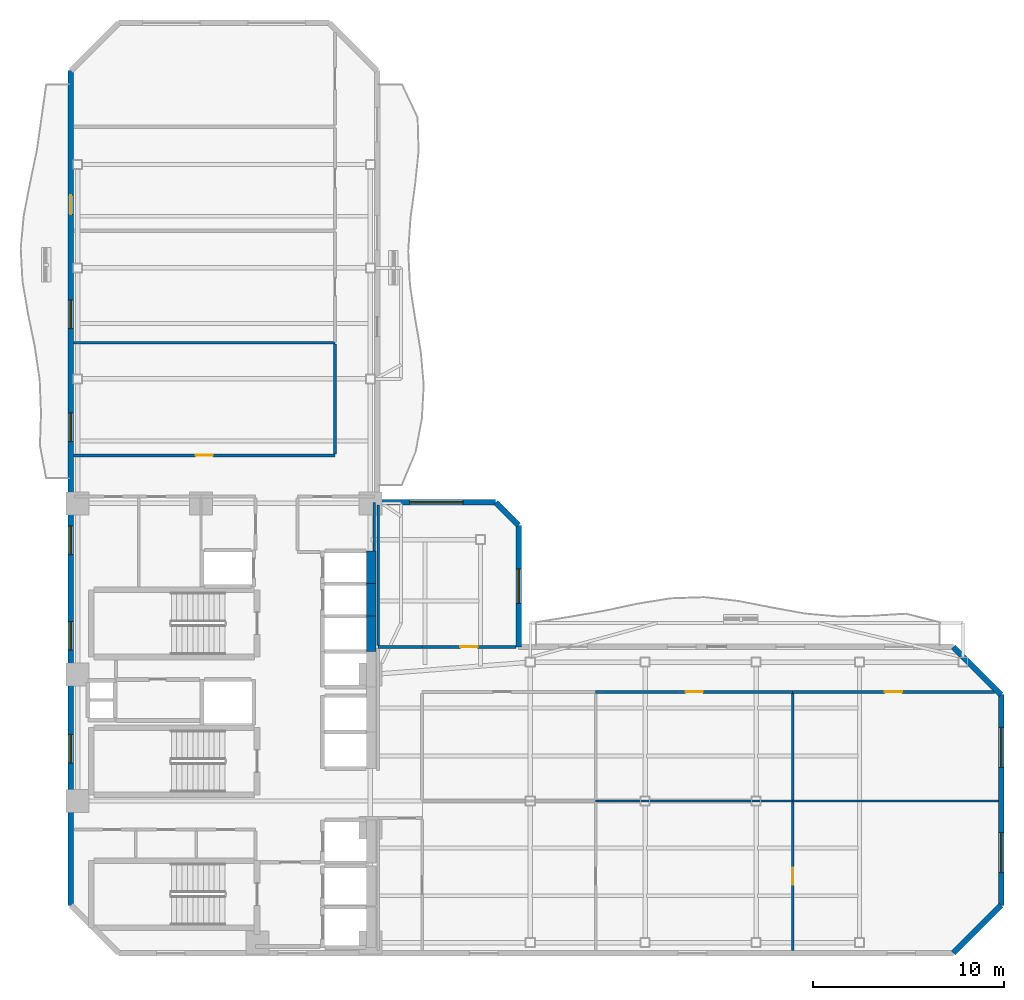
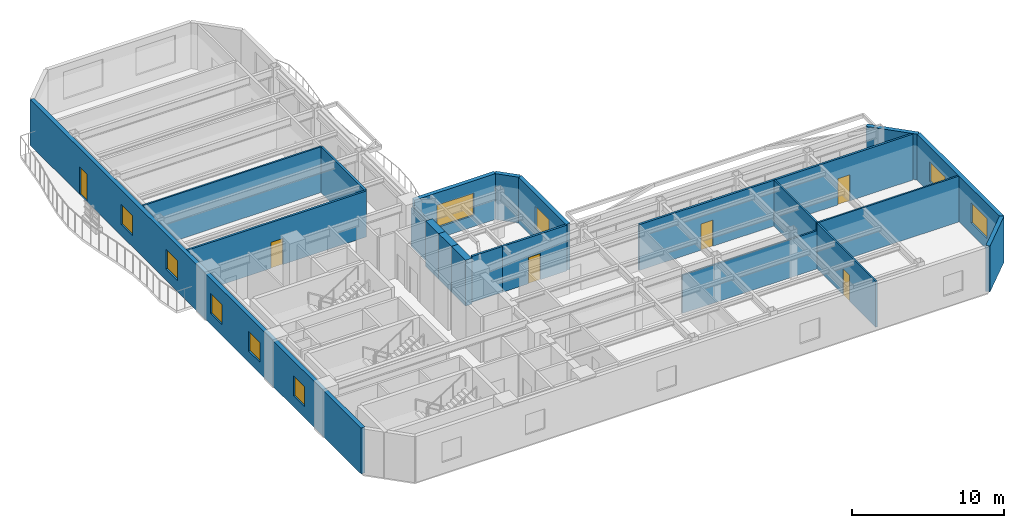
# One storey, part 5 of 9: 23 walls, 9 windows, 6 doors, 15 openings.
"""IFC4 building model written with IfcOpenShell, lengths in metres."""

from ifc_helpers import new_model, si_unit, direction, frame, frame_2d, origin, place, context, subcontext, project, spatial, rectangle, extrude, material, layer, layer_set, type_object, element, fill, save


model = new_model("IFC4")

# Units and contexts
model_context = context("Model", 3, precision=1e-05, world=origin(), true_north=direction((0.0, 1.0)))
body_context = subcontext(model_context, "Body", "Model", "MODEL_VIEW")
ifc_project = project(units=[si_unit("LENGTHUNIT", "METRE"), si_unit("AREAUNIT", "SQUARE_METRE"), si_unit("VOLUMEUNIT", "CUBIC_METRE"), si_unit("PLANEANGLEUNIT", "RADIAN"), si_unit("MASSUNIT", "GRAM", prefix="KILO")], contexts=[model_context])

# Site, building, storey
site_placement = place(None, origin())
site = spatial("IfcSite", under=ifc_project, at=site_placement, CompositionType="ELEMENT")
building_placement = place(site_placement, origin())
building = spatial("IfcBuilding", under=site, at=building_placement, Name="Mawjaban Terraces University", CompositionType="ELEMENT")
storey_placement = place(building_placement, frame((0.0, 0.0, 154.10009765625)))
storey = spatial("IfcBuildingStorey", under=building, at=storey_placement, Name="L37", CompositionType="ELEMENT", Elevation=154.10009765625)

# Walls
ifc_material_1 = material(Name="Concrete C60/75", Category="concrete")
ifc_layer_1 = layer(ifc_material_1, 0.5)
ifc_layer_set_1 = layer_set([ifc_layer_1], Name="Concrete C60/75")
wall_type_1 = type_object("IfcWallType", Name="CoreShearWall_500", PredefinedType="SHEAR", material=ifc_layer_set_1)
wall_1_placement = place(storey_placement, frame((37.699951171875, 15.75, 0.0), z_axis=(0.0, 0.0, 1.0), x_axis=(0.0, 1.0, 0.0)))
element("IfcWall", 1, at=wall_1_placement, inside=storey, type_object=wall_type_1, Name="L37 Lift OL-2 Hoistway Wall East", PredefinedType="SHEAR", context=body_context, shape_type="SweptSolid", body=[
    extrude(rectangle(XDim=1.85009765625, YDim=0.5, at=frame_2d((0.925048828125, 0.0))), origin(), (0.0, 0.0, 1.0), 3.68994140625),
])
for number, where, z_axis, x_axis, name in (
    (2, (37.699951171875, 17.60009765625, 0.0), (0.0, 0.0, 1.0), (0.0, 1.0, 0.0), "L37 Lift PL-M1 Hoistway Wall East"),
    (3, (37.699951171875, 19.300048828125, 0.0), (0.0, 0.0, 1.0), (0.0, 1.0, 0.0), "L37 Lift PL-M2 Hoistway Wall East"),
):
    element("IfcWall", number, at=place(storey_placement, frame(where, z_axis=z_axis, x_axis=x_axis)), inside=storey, type_object=wall_type_1, Name=name, PredefinedType="SHEAR", context=body_context, shape_type="SweptSolid", body=[
        extrude(rectangle(XDim=1.699951171875, YDim=0.5, at=frame_2d((0.85009765625, 0.0))), origin(), (0.0, 0.0, 1.0), 3.68994140625),
    ])

# Wall, opening, door
ifc_material_2 = material(Name="Fire-rated gypsum board on steel stud", Category="steel")
ifc_layer_2 = layer(ifc_material_2, 0.159912109375)
ifc_layer_set_2 = layer_set([ifc_layer_2], Name="Fire-rated gypsum board on steel stud")
wall_type_2 = type_object("IfcWallType", Name="CorridorPartition_160", PredefinedType="PARTITIONING", material=ifc_layer_set_2)
wall_2_placement = place(storey_placement, frame((35.800048828125, 26.0, 0.0), z_axis=(0.0, 0.0, 1.0), x_axis=(-1.0, 0.0, 0.0)))
wall_2 = element("IfcWall", 4, at=wall_2_placement, inside=storey, type_object=wall_type_2, Name="L37 North Core Cross-Corridor Partition 12", PredefinedType="PARTITIONING", context=body_context, shape_type="SweptSolid", body=[
    extrude(rectangle(XDim=13.655029296875, YDim=0.159912109375, at=frame_2d((6.82763671875, 0.0))), origin(), (0.0, 0.0, 1.0), 3.68994140625),
])
opening_1_placement = place(wall_2_placement, frame((6.376953125, 0.0, 0.0)))
opening_1 = element("IfcOpeningElement", 5, at=opening_1_placement, cuts=wall_2, Name="Opening ID-090", PredefinedType="OPENING", context=body_context, shape_type="SweptSolid", body=[
    extrude(rectangle(XDim=0.89990234375, YDim=2.10009765625, at=frame_2d((0.449951171875, 1.050048828125))), frame((0.0, 0.08984375, 0.0), z_axis=(0.0, -1.0, 0.0), x_axis=(1.0, 0.0, 0.0)), (0.0, 0.0, 1.0), 0.179931640625),
])
ifc_material_3 = material(Name="Powder-coated steel frame and solid acoustic timber leaf", Category="steel")
door_type_1 = type_object("IfcDoorType", Name="OfficeDoor_900x2100", OperationType="NOTDEFINED", PredefinedType="DOOR", material=ifc_material_3)
door_1_placement = place(opening_1_placement, origin())
door_1 = element("IfcDoor", 6, at=door_1_placement, inside=storey, type_object=door_type_1, Name="L37 Departmental Office 8 Door", OperationType="SINGLE_SWING_RIGHT", OverallHeight=2.10009765625, OverallWidth=0.89990234375, PredefinedType="DOOR", context=body_context, shape_type="SweptSolid", body=[
    extrude(rectangle(XDim=0.89990234375, YDim=2.10009765625, at=frame_2d((0.449951171875, 1.050048828125))), frame((0.0, 0.02490234375, 0.0), z_axis=(0.0, -1.0, 0.0), x_axis=(1.0, 0.0, 0.0)), (0.0, 0.0, 1.0), 0.050048828125),
])
fill(opening_1, door_1)

# Wall
wall_3_placement = place(storey_placement, frame((40.35009765625, 16.0, 0.0), z_axis=(0.0, 0.0, 1.0), x_axis=(-1.0, 0.0, 0.0)))
element("IfcWall", 7, at=wall_3_placement, inside=storey, type_object=wall_type_2, Name="L37 Inner Gallery Link Corridor Partition 19", PredefinedType="PARTITIONING", context=body_context, shape_type="SweptSolid", body=[
    extrude(rectangle(XDim=2.300048828125, YDim=0.159912109375, at=frame_2d((1.14990234375, 0.0))), origin(), (0.0, 0.0, 1.0), 3.68994140625),
])

# Wall, opening, door
wall_4_placement = place(storey_placement, frame((40.35009765625, 16.0, 0.0), z_axis=(0.0, 0.0, 1.0), x_axis=(1.0, 0.0, 0.0)))
wall_4 = element("IfcWall", 8, at=wall_4_placement, inside=storey, type_object=wall_type_2, Name="L37 Terrace Collaborative Study Room Partition 20", PredefinedType="PARTITIONING", context=body_context, shape_type="SweptSolid", body=[
    extrude(rectangle(XDim=4.89892578125, YDim=0.159912109375, at=frame_2d((2.449462890625, 0.0))), origin(), (0.0, 0.0, 1.0), 3.68994140625),
])
opening_2_placement = place(wall_4_placement, frame((2.0, 0.0, 0.0)))
opening_2 = element("IfcOpeningElement", 9, at=opening_2_placement, cuts=wall_4, Name="Opening ID-090", PredefinedType="OPENING", context=body_context, shape_type="SweptSolid", body=[
    extrude(rectangle(XDim=0.89990234375, YDim=2.10009765625, at=frame_2d((0.449951171875, 1.050048828125))), frame((0.0, 0.08984375, 0.0), z_axis=(0.0, -1.0, 0.0), x_axis=(1.0, 0.0, 0.0)), (0.0, 0.0, 1.0), 0.179931640625),
])
door_2_placement = place(opening_2_placement, origin())
door_2 = element("IfcDoor", 10, at=door_2_placement, inside=storey, type_object=door_type_1, Name="L37 Terrace Collaborative Study Room Door", OperationType="SINGLE_SWING_RIGHT", OverallHeight=2.10009765625, OverallWidth=0.89990234375, PredefinedType="DOOR", context=body_context, shape_type="SweptSolid", body=[
    extrude(rectangle(XDim=0.89990234375, YDim=2.10009765625, at=frame_2d((0.449951171875, 1.050048828125))), frame((0.0, 0.02490234375, 0.0), z_axis=(0.0, -1.0, 0.0), x_axis=(1.0, 0.0, 0.0)), (0.0, 0.0, 1.0), 0.050048828125),
])
fill(opening_2, door_2)

wall_5_placement = place(storey_placement, frame((49.419921875, 13.64990234375, 0.0), z_axis=(0.0, 0.0, 1.0), x_axis=(1.0, 0.0, 0.0)))
wall_5 = element("IfcWall", 11, at=wall_5_placement, inside=storey, type_object=wall_type_2, Name="L37 Inner Terrace Gallery Corridor East Partition 22", PredefinedType="PARTITIONING", context=body_context, shape_type="SweptSolid", body=[
    extrude(rectangle(XDim=10.2900390625, YDim=0.159912109375, at=frame_2d((5.14501953125, 0.0))), origin(), (0.0, 0.0, 1.0), 3.68994140625),
])
opening_3_placement = place(wall_5_placement, frame((4.695068359375, 0.0, 0.0)))
opening_3 = element("IfcOpeningElement", 12, at=opening_3_placement, cuts=wall_5, Name="Opening ID-090", PredefinedType="OPENING", context=body_context, shape_type="SweptSolid", body=[
    extrude(rectangle(XDim=0.89990234375, YDim=2.10009765625, at=frame_2d((0.449951171875, 1.050048828125))), frame((0.0, 0.08984375, 0.0), z_axis=(0.0, -1.0, 0.0), x_axis=(1.0, 0.0, 0.0)), (0.0, 0.0, 1.0), 0.179931640625),
])
door_3_placement = place(opening_3_placement, origin())
door_3 = element("IfcDoor", 13, at=door_3_placement, inside=storey, type_object=door_type_1, Name="L37 Faculty Office 5 Door", OperationType="SINGLE_SWING_LEFT", OverallHeight=2.10009765625, OverallWidth=0.89990234375, PredefinedType="DOOR", context=body_context, shape_type="SweptSolid", body=[
    extrude(rectangle(XDim=0.89990234375, YDim=2.10009765625, at=frame_2d((0.449951171875, 1.050048828125))), frame((0.0, 0.02490234375, 0.0), z_axis=(0.0, -1.0, 0.0), x_axis=(1.0, 0.0, 0.0)), (0.0, 0.0, 1.0), 0.050048828125),
])
fill(opening_3, door_3)

wall_6_placement = place(storey_placement, frame((59.7099609375, 13.64990234375, 0.0), z_axis=(0.0, 0.0, 1.0), x_axis=(1.0, 0.0, 0.0)))
wall_6 = element("IfcWall", 14, at=wall_6_placement, inside=storey, type_object=wall_type_2, Name="L37 Inner Terrace Gallery Corridor East Partition 24", PredefinedType="PARTITIONING", context=body_context, shape_type="SweptSolid", body=[
    extrude(rectangle(XDim=10.53515625, YDim=0.159912109375, at=frame_2d((5.267578125, 0.0))), origin(), (0.0, 0.0, 1.0), 3.68994140625),
])
opening_4_placement = place(wall_6_placement, frame((4.818115234375, 0.0, 0.0)))
opening_4 = element("IfcOpeningElement", 15, at=opening_4_placement, cuts=wall_6, Name="Opening ID-090", PredefinedType="OPENING", context=body_context, shape_type="SweptSolid", body=[
    extrude(rectangle(XDim=0.89990234375, YDim=2.10009765625, at=frame_2d((0.449951171875, 1.050048828125))), frame((0.0, 0.08984375, 0.0), z_axis=(0.0, -1.0, 0.0), x_axis=(1.0, 0.0, 0.0)), (0.0, 0.0, 1.0), 0.179931640625),
])
door_4_placement = place(opening_4_placement, origin())
door_4 = element("IfcDoor", 16, at=door_4_placement, inside=storey, type_object=door_type_1, Name="L37 Faculty Office 7 Door", OperationType="SINGLE_SWING_LEFT", OverallHeight=2.10009765625, OverallWidth=0.89990234375, PredefinedType="DOOR", context=body_context, shape_type="SweptSolid", body=[
    extrude(rectangle(XDim=0.89990234375, YDim=2.10009765625, at=frame_2d((0.449951171875, 1.050048828125))), frame((0.0, 0.02490234375, 0.0), z_axis=(0.0, -1.0, 0.0), x_axis=(1.0, 0.0, 0.0)), (0.0, 0.0, 1.0), 0.050048828125),
])
fill(opening_4, door_4)

# Walls
wall_7_placement = place(storey_placement, frame((35.800048828125, 31.822021484375, 0.0), z_axis=(0.0, 0.0, 1.0), x_axis=(0.0, -1.0, 0.0)))
element("IfcWall", 17, at=wall_7_placement, inside=storey, type_object=wall_type_2, Name="L37 Inner Terrace Gallery Corridor North Partition 34", PredefinedType="PARTITIONING", context=body_context, shape_type="SweptSolid", body=[
    extrude(rectangle(XDim=5.7470703125, YDim=0.159912109375, at=frame_2d((2.87353515625, 0.0))), origin(), (0.0, 0.0, 1.0), 3.68994140625),
])
ifc_material_4 = material(Name="Insulated terracotta rainscreen on concrete backup C40/50", Category="masonry")
ifc_layer_3 = layer(ifc_material_4, 0.300048828125)
ifc_layer_set_3 = layer_set([ifc_layer_3], Name="Insulated terracotta rainscreen on concrete backup C40/50")
wall_type_3 = type_object("IfcWallType", Name="ExtTerracottaWall_300", PredefinedType="SOLIDWALL", material=ifc_layer_set_3)
wall_8_placement = place(storey_placement, frame((68.10009765625, 0.0, 0.0), z_axis=(0.0, 0.0, 1.0), x_axis=(0.707106781187, 0.707106781187, 0.0)))
element("IfcWall", 18, at=wall_8_placement, inside=storey, type_object=wall_type_3, Name="L37 Exterior Terracotta Wall 2", PredefinedType="SOLIDWALL", context=body_context, shape_type="SweptSolid", body=[
    extrude(rectangle(XDim=3.53564453125, YDim=0.300048828125, at=frame_2d((1.767822265625, 0.0))), origin(), (0.0, 0.0, 1.0), 3.68994140625),
])

# Wall, openings, windows
wall_9_placement = place(storey_placement, frame((70.60009765625, 2.5, 0.0), z_axis=(0.0, 0.0, 1.0), x_axis=(0.0, 1.0, 0.0)))
wall_9 = element("IfcWall", 19, at=wall_9_placement, inside=storey, type_object=wall_type_3, Name="L37 Exterior Terracotta Wall 3", PredefinedType="SOLIDWALL", context=body_context, shape_type="SweptSolid", body=[
    extrude(rectangle(XDim=11.0, YDim=0.300048828125, at=frame_2d((5.5, 0.0))), origin(), (0.0, 0.0, 1.0), 3.68994140625),
])
opening_5_placement = place(wall_9_placement, frame((1.699951171875, 0.0, 0.89990234375)))
opening_5 = element("IfcOpeningElement", 20, at=opening_5_placement, cuts=wall_9, Name="Opening W-04", PredefinedType="OPENING", context=body_context, shape_type="SweptSolid", body=[
    extrude(rectangle(XDim=2.10009765625, YDim=1.60009765625, at=frame_2d((1.050048828125, 0.800048828125))), frame((0.0, 0.159912109375, 0.0), z_axis=(0.0, -1.0, 0.0), x_axis=(1.0, 0.0, 0.0)), (0.0, 0.0, 1.0), 0.320068359375),
])
opening_6_placement = place(wall_9_placement, frame((7.199951171875, 0.0, 0.89990234375)))
opening_6 = element("IfcOpeningElement", 21, at=opening_6_placement, cuts=wall_9, Name="Opening W-04", PredefinedType="OPENING", context=body_context, shape_type="SweptSolid", body=[
    extrude(rectangle(XDim=2.10009765625, YDim=1.60009765625, at=frame_2d((1.050048828125, 0.800048828125))), frame((0.0, 0.159912109375, 0.0), z_axis=(0.0, -1.0, 0.0), x_axis=(1.0, 0.0, 0.0)), (0.0, 0.0, 1.0), 0.320068359375),
])
ifc_material_5 = material(Name="Low-E solar-control double glazing in thermally broken aluminium frame", Category="aluminium")
window_type_1 = type_object("IfcWindowType", Name="Win_2100x1600", PartitioningType="SINGLE_PANEL", PredefinedType="WINDOW", material=ifc_material_5)
window_1_placement = place(opening_5_placement, origin())
window_1 = element("IfcWindow", 22, at=window_1_placement, inside=storey, type_object=window_type_1, Name="L37 Facade Window 3.1", OverallHeight=1.60009765625, OverallWidth=2.10009765625, PartitioningType="SINGLE_PANEL", PredefinedType="WINDOW", context=body_context, shape_type="SweptSolid", body=[
    extrude(rectangle(XDim=2.10009765625, YDim=1.60009765625, at=frame_2d((1.050048828125, 0.800048828125))), frame((0.0, 0.030029296875, 0.0), z_axis=(0.0, -1.0, 0.0), x_axis=(1.0, 0.0, 0.0)), (0.0, 0.0, 1.0), 0.06005859375),
])
fill(opening_5, window_1)
window_2_placement = place(opening_6_placement, origin())
window_2 = element("IfcWindow", 23, at=window_2_placement, inside=storey, type_object=window_type_1, Name="L37 Facade Window 3.2", OverallHeight=1.60009765625, OverallWidth=2.10009765625, PartitioningType="SINGLE_PANEL", PredefinedType="WINDOW", context=body_context, shape_type="SweptSolid", body=[
    extrude(rectangle(XDim=2.10009765625, YDim=1.60009765625, at=frame_2d((1.050048828125, 0.800048828125))), frame((0.0, 0.030029296875, 0.0), z_axis=(0.0, -1.0, 0.0), x_axis=(1.0, 0.0, 0.0)), (0.0, 0.0, 1.0), 0.06005859375),
])
fill(opening_6, window_2)

# Wall
wall_10_placement = place(storey_placement, frame((70.60009765625, 13.5, 0.0), z_axis=(0.0, 0.0, 1.0), x_axis=(-0.707106781187, 0.707106781187, 0.0)))
element("IfcWall", 24, at=wall_10_placement, inside=storey, type_object=wall_type_3, Name="L37 Exterior Terracotta Wall 4", PredefinedType="SOLIDWALL", context=body_context, shape_type="SweptSolid", body=[
    extrude(rectangle(XDim=3.53564453125, YDim=0.300048828125, at=frame_2d((1.767822265625, 0.0))), origin(), (0.0, 0.0, 1.0), 3.68994140625),
])

# Wall, opening, window
wall_11_placement = place(storey_placement, frame((45.39404296875, 16.0, 0.0), z_axis=(0.0, 0.0, 1.0), x_axis=(0.0, 1.0, 0.0)))
wall_11 = element("IfcWall", 25, at=wall_11_placement, inside=storey, type_object=wall_type_3, Name="L37 Exterior Terracotta Wall 6", PredefinedType="SOLIDWALL", context=body_context, shape_type="SweptSolid", body=[
    extrude(rectangle(XDim=6.35009765625, YDim=0.300048828125, at=frame_2d((3.175048828125, 0.0))), origin(), (0.0, 0.0, 1.0), 3.68994140625),
])
opening_7_placement = place(wall_11_placement, frame((2.27490234375, 0.0, 0.89990234375)))
opening_7 = element("IfcOpeningElement", 26, at=opening_7_placement, cuts=wall_11, Name="Opening W-07", PredefinedType="OPENING", context=body_context, shape_type="SweptSolid", body=[
    extrude(rectangle(XDim=1.800048828125, YDim=1.800048828125, at=frame_2d((0.89990234375, 0.89990234375))), frame((0.0, 0.159912109375, 0.0), z_axis=(0.0, -1.0, 0.0), x_axis=(1.0, 0.0, 0.0)), (0.0, 0.0, 1.0), 0.320068359375),
])
window_type_2 = type_object("IfcWindowType", Name="Win_1800x1800", PartitioningType="SINGLE_PANEL", PredefinedType="WINDOW", material=ifc_material_5)
window_3_placement = place(opening_7_placement, origin())
window_3 = element("IfcWindow", 27, at=window_3_placement, inside=storey, type_object=window_type_2, Name="L37 Facade Window 6.1", OverallHeight=1.800048828125, OverallWidth=1.800048828125, PartitioningType="SINGLE_PANEL", PredefinedType="WINDOW", context=body_context, shape_type="SweptSolid", body=[
    extrude(rectangle(XDim=1.800048828125, YDim=1.800048828125, at=frame_2d((0.89990234375, 0.89990234375))), frame((0.0, 0.030029296875, 0.0), z_axis=(0.0, -1.0, 0.0), x_axis=(1.0, 0.0, 0.0)), (0.0, 0.0, 1.0), 0.06005859375),
])
fill(opening_7, window_3)

# Wall
wall_12_placement = place(storey_placement, frame((45.39404296875, 22.35009765625, 0.0), z_axis=(0.0, 0.0, 1.0), x_axis=(-0.707106781187, 0.707106781187, 0.0)))
element("IfcWall", 28, at=wall_12_placement, inside=storey, type_object=wall_type_3, Name="L37 Exterior Terracotta Wall 7", PredefinedType="SOLIDWALL", context=body_context, shape_type="SweptSolid", body=[
    extrude(rectangle(XDim=1.697021484375, YDim=0.300048828125, at=frame_2d((0.8486328125, 0.0))), origin(), (0.0, 0.0, 1.0), 3.68994140625),
])

# Wall, opening, window
wall_13_placement = place(storey_placement, frame((44.194091796875, 23.550048828125, 0.0), z_axis=(0.0, 0.0, 1.0), x_axis=(-1.0, 0.0, 0.0)))
wall_13 = element("IfcWall", 29, at=wall_13_placement, inside=storey, type_object=wall_type_3, Name="L37 Exterior Terracotta Wall 8", PredefinedType="SOLIDWALL", context=body_context, shape_type="SweptSolid", body=[
    extrude(rectangle(XDim=6.194091796875, YDim=0.300048828125, at=frame_2d((3.09716796875, 0.0))), origin(), (0.0, 0.0, 1.0), 3.68994140625),
])
opening_8_placement = place(wall_13_placement, frame((1.697021484375, 0.0, 0.89990234375)))
opening_8 = element("IfcOpeningElement", 30, at=opening_8_placement, cuts=wall_13, Name="Opening W-09", PredefinedType="OPENING", context=body_context, shape_type="SweptSolid", body=[
    extrude(rectangle(XDim=2.800048828125, YDim=1.800048828125, at=frame_2d((1.39990234375, 0.89990234375))), frame((0.0, 0.159912109375, 0.0), z_axis=(0.0, -1.0, 0.0), x_axis=(1.0, 0.0, 0.0)), (0.0, 0.0, 1.0), 0.320068359375),
])
window_type_3 = type_object("IfcWindowType", Name="Win_2800x1800", PartitioningType="SINGLE_PANEL", PredefinedType="WINDOW", material=ifc_material_5)
window_4_placement = place(opening_8_placement, origin())
window_4 = element("IfcWindow", 31, at=window_4_placement, inside=storey, type_object=window_type_3, Name="L37 Facade Window 8.1", OverallHeight=1.800048828125, OverallWidth=2.800048828125, PartitioningType="SINGLE_PANEL", PredefinedType="WINDOW", context=body_context, shape_type="SweptSolid", body=[
    extrude(rectangle(XDim=2.800048828125, YDim=1.800048828125, at=frame_2d((1.39990234375, 0.89990234375))), frame((0.0, 0.030029296875, 0.0), z_axis=(0.0, -1.0, 0.0), x_axis=(1.0, 0.0, 0.0)), (0.0, 0.0, 1.0), 0.06005859375),
])
fill(opening_8, window_4)

# Wall, openings, door, windows
wall_14_placement = place(storey_placement, frame((22.0, 46.10009765625, 0.0), z_axis=(0.0, 0.0, 1.0), x_axis=(0.0, -1.0, 0.0)))
wall_14 = element("IfcWall", 32, at=wall_14_placement, inside=storey, type_object=wall_type_3, Name="L37 Exterior Terracotta Wall 13", PredefinedType="SOLIDWALL", context=body_context, shape_type="SweptSolid", body=[
    extrude(rectangle(XDim=43.60009765625, YDim=0.300048828125, at=frame_2d((21.800048828125, 0.0))), origin(), (0.0, 0.0, 1.0), 3.68994140625),
])
opening_9_placement = place(wall_14_placement, frame((6.5, 0.0, 0.0)))
opening_9 = element("IfcOpeningElement", 33, at=opening_9_placement, cuts=wall_14, Name="Opening BD-100", PredefinedType="OPENING", context=body_context, shape_type="SweptSolid", body=[
    extrude(rectangle(XDim=1.0, YDim=2.199951171875, at=frame_2d((0.5, 1.10009765625))), frame((0.0, 0.159912109375, 0.0), z_axis=(0.0, -1.0, 0.0), x_axis=(1.0, 0.0, 0.0)), (0.0, 0.0, 1.0), 0.320068359375),
])
opening_10_placement = place(wall_14_placement, frame((11.97509765625, 0.0, 0.89990234375)))
opening_10 = element("IfcOpeningElement", 34, at=opening_10_placement, cuts=wall_14, Name="Opening W-02", PredefinedType="OPENING", context=body_context, shape_type="SweptSolid", body=[
    extrude(rectangle(XDim=1.5, YDim=1.60009765625, at=frame_2d((0.75, 0.800048828125))), frame((0.0, 0.159912109375, 0.0), z_axis=(0.0, -1.0, 0.0), x_axis=(1.0, 0.0, 0.0)), (0.0, 0.0, 1.0), 0.320068359375),
])
opening_11_placement = place(wall_14_placement, frame((17.875, 0.0, 0.89990234375)))
opening_11 = element("IfcOpeningElement", 35, at=opening_11_placement, cuts=wall_14, Name="Opening W-02", PredefinedType="OPENING", context=body_context, shape_type="SweptSolid", body=[
    extrude(rectangle(XDim=1.5, YDim=1.60009765625, at=frame_2d((0.75, 0.800048828125))), frame((0.0, 0.159912109375, 0.0), z_axis=(0.0, -1.0, 0.0), x_axis=(1.0, 0.0, 0.0)), (0.0, 0.0, 1.0), 0.320068359375),
])
opening_12_placement = place(wall_14_placement, frame((23.77490234375, 0.0, 0.89990234375)))
opening_12 = element("IfcOpeningElement", 36, at=opening_12_placement, cuts=wall_14, Name="Opening W-02", PredefinedType="OPENING", context=body_context, shape_type="SweptSolid", body=[
    extrude(rectangle(XDim=1.5, YDim=1.60009765625, at=frame_2d((0.75, 0.800048828125))), frame((0.0, 0.159912109375, 0.0), z_axis=(0.0, -1.0, 0.0), x_axis=(1.0, 0.0, 0.0)), (0.0, 0.0, 1.0), 0.320068359375),
])
opening_13_placement = place(wall_14_placement, frame((28.77490234375, 0.0, 0.89990234375)))
opening_13 = element("IfcOpeningElement", 37, at=opening_13_placement, cuts=wall_14, Name="Opening W-02", PredefinedType="OPENING", context=body_context, shape_type="SweptSolid", body=[
    extrude(rectangle(XDim=1.5, YDim=1.60009765625, at=frame_2d((0.75, 0.800048828125))), frame((0.0, 0.159912109375, 0.0), z_axis=(0.0, -1.0, 0.0), x_axis=(1.0, 0.0, 0.0)), (0.0, 0.0, 1.0), 0.320068359375),
])
opening_14_placement = place(wall_14_placement, frame((34.675048828125, 0.0, 0.89990234375)))
opening_14 = element("IfcOpeningElement", 38, at=opening_14_placement, cuts=wall_14, Name="Opening W-02", PredefinedType="OPENING", context=body_context, shape_type="SweptSolid", body=[
    extrude(rectangle(XDim=1.5, YDim=1.60009765625, at=frame_2d((0.75, 0.800048828125))), frame((0.0, 0.159912109375, 0.0), z_axis=(0.0, -1.0, 0.0), x_axis=(1.0, 0.0, 0.0)), (0.0, 0.0, 1.0), 0.320068359375),
])
ifc_material_6 = material(Name="Thermally broken anodised aluminium and laminated safety glass", Category="aluminium")
door_type_2 = type_object("IfcDoorType", Name="BalconyGlazedDoor_1000x2200", OperationType="NOTDEFINED", PredefinedType="DOOR", material=ifc_material_6)
door_5_placement = place(opening_9_placement, origin())
door_5 = element("IfcDoor", 39, at=door_5_placement, inside=storey, type_object=door_type_2, Name="L37 Balcony Access Door west", OperationType="SINGLE_SWING_LEFT", OverallHeight=2.199951171875, OverallWidth=1.0, PredefinedType="DOOR", context=body_context, shape_type="SweptSolid", body=[
    extrude(rectangle(XDim=1.0, YDim=2.199951171875, at=frame_2d((0.5, 1.10009765625))), frame((0.0, 0.02490234375, 0.0), z_axis=(0.0, -1.0, 0.0), x_axis=(1.0, 0.0, 0.0)), (0.0, 0.0, 1.0), 0.050048828125),
])
fill(opening_9, door_5)
window_type_4 = type_object("IfcWindowType", Name="Win_1500x1600", PartitioningType="SINGLE_PANEL", PredefinedType="WINDOW", material=ifc_material_5)
window_5_placement = place(opening_10_placement, origin())
window_5 = element("IfcWindow", 40, at=window_5_placement, inside=storey, type_object=window_type_4, Name="L37 Facade Window 13.3", OverallHeight=1.60009765625, OverallWidth=1.5, PartitioningType="SINGLE_PANEL", PredefinedType="WINDOW", context=body_context, shape_type="SweptSolid", body=[
    extrude(rectangle(XDim=1.5, YDim=1.60009765625, at=frame_2d((0.75, 0.800048828125))), frame((0.0, 0.030029296875, 0.0), z_axis=(0.0, -1.0, 0.0), x_axis=(1.0, 0.0, 0.0)), (0.0, 0.0, 1.0), 0.06005859375),
])
fill(opening_10, window_5)
window_6_placement = place(opening_11_placement, origin())
window_6 = element("IfcWindow", 41, at=window_6_placement, inside=storey, type_object=window_type_4, Name="L37 Facade Window 13.4", OverallHeight=1.60009765625, OverallWidth=1.5, PartitioningType="SINGLE_PANEL", PredefinedType="WINDOW", context=body_context, shape_type="SweptSolid", body=[
    extrude(rectangle(XDim=1.5, YDim=1.60009765625, at=frame_2d((0.75, 0.800048828125))), frame((0.0, 0.030029296875, 0.0), z_axis=(0.0, -1.0, 0.0), x_axis=(1.0, 0.0, 0.0)), (0.0, 0.0, 1.0), 0.06005859375),
])
fill(opening_11, window_6)
window_7_placement = place(opening_12_placement, origin())
window_7 = element("IfcWindow", 42, at=window_7_placement, inside=storey, type_object=window_type_4, Name="L37 Facade Window 13.5", OverallHeight=1.60009765625, OverallWidth=1.5, PartitioningType="SINGLE_PANEL", PredefinedType="WINDOW", context=body_context, shape_type="SweptSolid", body=[
    extrude(rectangle(XDim=1.5, YDim=1.60009765625, at=frame_2d((0.75, 0.800048828125))), frame((0.0, 0.030029296875, 0.0), z_axis=(0.0, -1.0, 0.0), x_axis=(1.0, 0.0, 0.0)), (0.0, 0.0, 1.0), 0.06005859375),
])
fill(opening_12, window_7)
window_8_placement = place(opening_13_placement, origin())
window_8 = element("IfcWindow", 43, at=window_8_placement, inside=storey, type_object=window_type_4, Name="L37 Facade Window 13.6", OverallHeight=1.60009765625, OverallWidth=1.5, PartitioningType="SINGLE_PANEL", PredefinedType="WINDOW", context=body_context, shape_type="SweptSolid", body=[
    extrude(rectangle(XDim=1.5, YDim=1.60009765625, at=frame_2d((0.75, 0.800048828125))), frame((0.0, 0.030029296875, 0.0), z_axis=(0.0, -1.0, 0.0), x_axis=(1.0, 0.0, 0.0)), (0.0, 0.0, 1.0), 0.06005859375),
])
fill(opening_13, window_8)
window_9_placement = place(opening_14_placement, origin())
window_9 = element("IfcWindow", 44, at=window_9_placement, inside=storey, type_object=window_type_4, Name="L37 Facade Window 13.7", OverallHeight=1.60009765625, OverallWidth=1.5, PartitioningType="SINGLE_PANEL", PredefinedType="WINDOW", context=body_context, shape_type="SweptSolid", body=[
    extrude(rectangle(XDim=1.5, YDim=1.60009765625, at=frame_2d((0.75, 0.800048828125))), frame((0.0, 0.030029296875, 0.0), z_axis=(0.0, -1.0, 0.0), x_axis=(1.0, 0.0, 0.0)), (0.0, 0.0, 1.0), 0.06005859375),
])
fill(opening_14, window_9)

# Walls
ifc_material_7 = material(Name="Gypsum plasterboard on steel stud", Category="steel")
ifc_layer_4 = layer(ifc_material_7, 0.125)
ifc_layer_set_4 = layer_set([ifc_layer_4], Name="Gypsum plasterboard on steel stud")
wall_type_4 = type_object("IfcWallType", Name="OfficePartition_125", PredefinedType="PARTITIONING", material=ifc_layer_set_4)
wall_15_placement = place(storey_placement, frame((35.800048828125, 31.8798828125, 0.0), z_axis=(0.0, 0.0, 1.0), x_axis=(-1.0, 0.0, 0.0)))
element("IfcWall", 45, at=wall_15_placement, inside=storey, type_object=wall_type_4, Name="L37 Departmental Office 8 Partition 13", PredefinedType="PARTITIONING", context=body_context, shape_type="SweptSolid", body=[
    extrude(rectangle(XDim=13.655029296875, YDim=0.125, at=frame_2d((6.82763671875, 0.0))), origin(), (0.0, 0.0, 1.0), 3.68994140625),
])
wall_16_placement = place(storey_placement, frame((59.7099609375, 7.949951171875, 0.0), z_axis=(0.0, 0.0, 1.0), x_axis=(-1.0, 0.0, 0.0)))
element("IfcWall", 46, at=wall_16_placement, inside=storey, type_object=wall_type_4, Name="L37 Academic Counseling Room 4 Partition 23", PredefinedType="PARTITIONING", context=body_context, shape_type="SweptSolid", body=[
    extrude(rectangle(XDim=10.2900390625, YDim=0.125, at=frame_2d((5.14501953125, 0.0))), origin(), (0.0, 0.0, 1.0), 3.072998046875),
])
wall_17_placement = place(storey_placement, frame((70.455078125, 7.949951171875, 0.0), z_axis=(0.0, 0.0, 1.0), x_axis=(-1.0, 0.0, 0.0)))
element("IfcWall", 47, at=wall_17_placement, inside=storey, type_object=wall_type_4, Name="L37 Departmental Office 6 Partition 25", PredefinedType="PARTITIONING", context=body_context, shape_type="SweptSolid", body=[
    extrude(rectangle(XDim=10.7451171875, YDim=0.125, at=frame_2d((5.37255859375, 0.0))), origin(), (0.0, 0.0, 1.0), 3.68994140625),
])
wall_18_placement = place(storey_placement, frame((37.85009765625, 21.0, 0.0), z_axis=(0.0, 0.0, 1.0), x_axis=(0.0, 1.0, 0.0)))
element("IfcWall", 48, at=wall_18_placement, inside=storey, type_object=wall_type_4, Name="L37 Departmental Resource Seminar Room Partition 38", PredefinedType="PARTITIONING", context=body_context, shape_type="SweptSolid", body=[
    extrude(rectangle(XDim=2.550048828125, YDim=0.125, at=frame_2d((1.27490234375, 0.0))), origin(), (0.0, 0.0, 1.0), 3.072998046875),
])
wall_19_placement = place(storey_placement, frame((38.050048828125, 23.405029296875, 0.0), z_axis=(0.0, 0.0, 1.0), x_axis=(0.0, -1.0, 0.0)))
element("IfcWall", 49, at=wall_19_placement, inside=storey, type_object=wall_type_4, Name="L37 Terrace Collaborative Study Room Partition 41", PredefinedType="PARTITIONING", context=body_context, shape_type="SweptSolid", body=[
    extrude(rectangle(XDim=7.330078125, YDim=0.125, at=frame_2d((3.6650390625, 0.0))), origin(), (0.0, 0.0, 1.0), 3.072998046875),
])

# Wall, opening, door
wall_20_placement = place(storey_placement, frame((59.7099609375, 0.14501953125, 0.0), z_axis=(0.0, 0.0, 1.0), x_axis=(0.0, 1.0, 0.0)))
wall_20 = element("IfcWall", 50, at=wall_20_placement, inside=storey, type_object=wall_type_4, Name="L37 Academic Counseling Room 4 Partition 46", PredefinedType="PARTITIONING", context=body_context, shape_type="SweptSolid", body=[
    extrude(rectangle(XDim=7.748046875, YDim=0.125, at=frame_2d((3.8740234375, 0.0))), origin(), (0.0, 0.0, 1.0), 3.68994140625),
])
opening_15_placement = place(wall_20_placement, frame((3.424072265625, 0.0, 0.0)))
opening_15 = element("IfcOpeningElement", 51, at=opening_15_placement, cuts=wall_20, Name="Opening ID-090", PredefinedType="OPENING", context=body_context, shape_type="SweptSolid", body=[
    extrude(rectangle(XDim=0.89990234375, YDim=2.10009765625, at=frame_2d((0.449951171875, 1.050048828125))), frame((0.0, 0.072509765625, 0.0), z_axis=(0.0, -1.0, 0.0), x_axis=(1.0, 0.0, 0.0)), (0.0, 0.0, 1.0), 0.14501953125),
])
door_6_placement = place(opening_15_placement, origin())
door_6 = element("IfcDoor", 52, at=door_6_placement, inside=storey, type_object=door_type_1, Name="L37 Departmental Office 6 Door", OperationType="SINGLE_SWING_RIGHT", OverallHeight=2.10009765625, OverallWidth=0.89990234375, PredefinedType="DOOR", context=body_context, shape_type="SweptSolid", body=[
    extrude(rectangle(XDim=0.89990234375, YDim=2.10009765625, at=frame_2d((0.449951171875, 1.050048828125))), frame((0.0, 0.02490234375, 0.0), z_axis=(0.0, -1.0, 0.0), x_axis=(1.0, 0.0, 0.0)), (0.0, 0.0, 1.0), 0.050048828125),
])
fill(opening_15, door_6)

# Wall
wall_21_placement = place(storey_placement, frame((59.7099609375, 8.008056640625, 0.0), z_axis=(0.0, 0.0, 1.0), x_axis=(0.0, 1.0, 0.0)))
element("IfcWall", 53, at=wall_21_placement, inside=storey, type_object=wall_type_4, Name="L37 Faculty Office 5 Partition 47", PredefinedType="PARTITIONING", context=body_context, shape_type="SweptSolid", body=[
    extrude(rectangle(XDim=5.56689453125, YDim=0.125, at=frame_2d((2.783447265625, 0.0))), origin(), (0.0, 0.0, 1.0), 3.68994140625),
])

save(model, "model.ifc")
